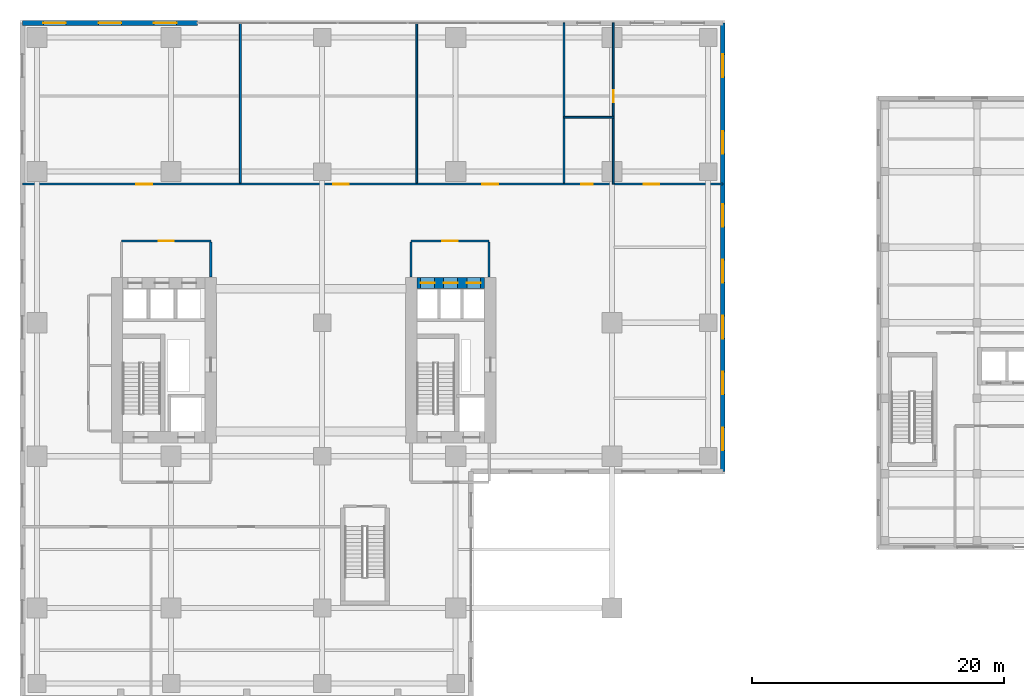
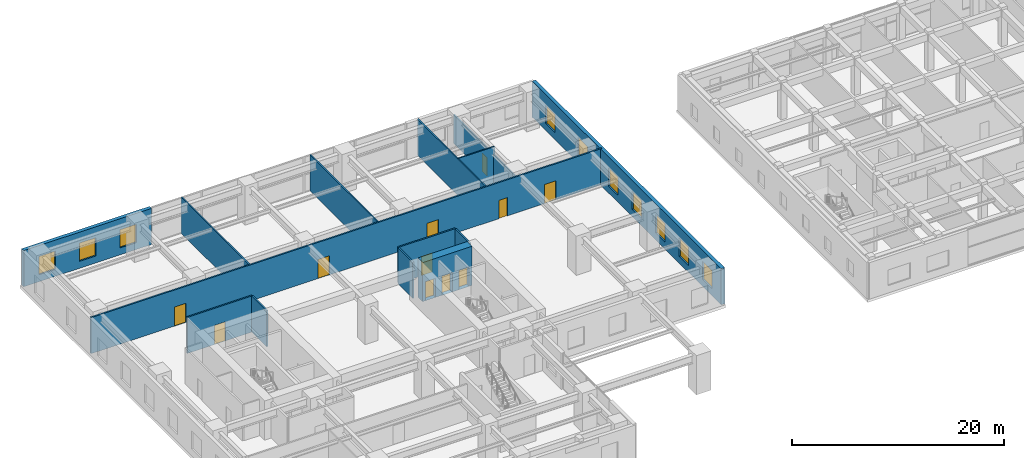
# One storey, part 20 of 26: 15 walls, 11 doors, 10 windows, 21 openings.
"""IFC4 building model written with IfcOpenShell, lengths in metres."""

from ifc_helpers import new_model, si_unit, direction, frame, frame_2d, origin, place, context, subcontext, project, spatial, rectangle, extrude, source, transform, mapped, material, layer, layer_set, type_object, element, fill, save


model = new_model("IFC4")

# Units and contexts
model_context = context("Model", 3, precision=1e-05, world=origin(), true_north=direction((0.0, 1.0)))
body_context = subcontext(model_context, "Body", "Model", "MODEL_VIEW")
ifc_project = project(units=[si_unit("LENGTHUNIT", "METRE"), si_unit("AREAUNIT", "SQUARE_METRE"), si_unit("VOLUMEUNIT", "CUBIC_METRE"), si_unit("PLANEANGLEUNIT", "RADIAN"), si_unit("MASSUNIT", "GRAM", prefix="KILO")], contexts=[model_context])

# Site, building, storey
site_placement = place(None, origin())
site = spatial("IfcSite", under=ifc_project, at=site_placement, CompositionType="ELEMENT")
building_placement = place(site_placement, origin())
building = spatial("IfcBuilding", under=site, at=building_placement, Name="Khoralis Quay Care Tower", CompositionType="ELEMENT")
storey_placement = place(building_placement, frame((0.0, 0.0, 4.5)))
storey = spatial("IfcBuildingStorey", under=building, at=storey_placement, Name="L01", CompositionType="ELEMENT", Elevation=4.5)

# Wall, openings, doors
ifc_material_1 = material(Name="Concrete C80/95", Category="concrete")
ifc_layer_1 = layer(ifc_material_1, 0.89990234375)
ifc_layer_set_1 = layer_set([ifc_layer_1], Name="Concrete C80/95")
wall_type_1 = type_object("IfcWallType", Name="WL-CORE-900", PredefinedType="SHEAR", material=ifc_layer_set_1)
wall_1_placement = place(storey_placement, frame((31.52001953125, 27.14990234375, 0.0), z_axis=(0.0, 0.0, 1.0), x_axis=(1.0, 0.0, 0.0)))
wall_1 = element("IfcWall", 1, at=wall_1_placement, inside=storey, type_object=wall_type_1, Name="L01 ECORE North Shear Wall", PredefinedType="SHEAR", context=body_context, shape_type="SweptSolid", body=[
    extrude(rectangle(XDim=5.3798828125, YDim=0.89990234375, at=frame_2d((2.68994140625, 0.0))), origin(), (0.0, 0.0, 1.0), 4.5),
])
opening_1_placement = place(wall_1_placement, frame((0.300048828125, 0.0, 0.0)))
opening_1 = element("IfcOpeningElement", 2, at=opening_1_placement, cuts=wall_1, Name="Opening LD1", PredefinedType="OPENING", context=body_context, shape_type="SweptSolid", body=[
    extrude(rectangle(XDim=1.10009765625, YDim=2.199951171875, at=frame_2d((0.550048828125, 1.10009765625))), frame((0.0, 0.4599609375, 0.0), z_axis=(0.0, -1.0, 0.0), x_axis=(1.0, 0.0, 0.0)), (0.0, 0.0, 1.0), 0.919921875),
])
opening_2_placement = place(wall_1_placement, frame((2.1298828125, 0.0, 0.0)))
opening_2 = element("IfcOpeningElement", 3, at=opening_2_placement, cuts=wall_1, Name="Opening LD1", PredefinedType="OPENING", context=body_context, shape_type="SweptSolid", body=[
    extrude(rectangle(XDim=1.10009765625, YDim=2.199951171875, at=frame_2d((0.550048828125, 1.10009765625))), frame((0.0, 0.4599609375, 0.0), z_axis=(0.0, -1.0, 0.0), x_axis=(1.0, 0.0, 0.0)), (0.0, 0.0, 1.0), 0.919921875),
])
opening_3_placement = place(wall_1_placement, frame((3.9599609375, 0.0, 0.0)))
opening_3 = element("IfcOpeningElement", 4, at=opening_3_placement, cuts=wall_1, Name="Opening LD1", PredefinedType="OPENING", context=body_context, shape_type="SweptSolid", body=[
    extrude(rectangle(XDim=1.10009765625, YDim=2.199951171875, at=frame_2d((0.550048828125, 1.10009765625))), frame((0.0, 0.4599609375, 0.0), z_axis=(0.0, -1.0, 0.0), x_axis=(1.0, 0.0, 0.0)), (0.0, 0.0, 1.0), 0.919921875),
])
ifc_material_2 = material(Name="Brushed stainless steel", Category="steel")
door_type_1 = type_object("IfcDoorType", Name="DR-LIFT-1100X2200", OperationType="SLIDING_TO_LEFT", PredefinedType="DOOR", material=ifc_material_2)
shared_shape_1 = source(origin(), body_context, "Body", "SweptSolid", [
    extrude(rectangle(XDim=1.10009765625, YDim=2.199951171875, at=frame_2d((0.550048828125, 1.10009765625))), frame((0.0, 0.02490234375, 0.0), z_axis=(0.0, -1.0, 0.0), x_axis=(1.0, 0.0, 0.0)), (0.0, 0.0, 1.0), 0.050048828125),
])
door_1_placement = place(opening_1_placement, origin())
door_1 = element("IfcDoor", 5, at=door_1_placement, inside=storey, type_object=door_type_1, Name="L01 Lift PLL2 Landing Door", OperationType="SLIDING_TO_LEFT", OverallHeight=2.199951171875, OverallWidth=1.10009765625, PredefinedType="DOOR", context=body_context, shape_type="MappedRepresentation", body=[
    mapped(shared_shape_1, transform((0.0, 0.0, 0.0), scale=1.0)),
])
fill(opening_1, door_1)
door_2_placement = place(opening_2_placement, origin())
door_2 = element("IfcDoor", 6, at=door_2_placement, inside=storey, type_object=door_type_1, Name="L01 Lift PLM2 Landing Door", OperationType="SLIDING_TO_LEFT", OverallHeight=2.199951171875, OverallWidth=1.10009765625, PredefinedType="DOOR", context=body_context, shape_type="MappedRepresentation", body=[
    mapped(shared_shape_1, transform((0.0, 0.0, 0.0), scale=1.0)),
])
fill(opening_2, door_2)
door_3_placement = place(opening_3_placement, origin())
door_3 = element("IfcDoor", 7, at=door_3_placement, inside=storey, type_object=door_type_1, Name="L01 Lift PLH2 Landing Door", OperationType="SLIDING_TO_LEFT", OverallHeight=2.199951171875, OverallWidth=1.10009765625, PredefinedType="DOOR", context=body_context, shape_type="MappedRepresentation", body=[
    mapped(shared_shape_1, transform((0.0, 0.0, 0.0), scale=1.0)),
])
fill(opening_3, door_3)

# Wall, opening, door
ifc_material_3 = material(Name="Gypsum plasterboard on acoustic metal stud")
ifc_layer_2 = layer(ifc_material_3, 0.1650390625)
ifc_layer_set_2 = layer_set([ifc_layer_2], Name="Gypsum plasterboard on acoustic metal stud")
wall_type_2 = type_object("IfcWallType", Name="WL-CORR-165", PredefinedType="PARTITIONING", material=ifc_layer_set_2)
wall_2_placement = place(storey_placement, frame((8.050048828125, 30.5, 0.0), z_axis=(0.0, 0.0, 1.0), x_axis=(1.0, 0.0, 0.0)))
wall_2 = element("IfcWall", 8, at=wall_2_placement, inside=storey, type_object=wall_type_2, Name="L01 West Lift Lobby North Wall", PredefinedType="PARTITIONING", context=body_context, shape_type="SweptSolid", body=[
    extrude(rectangle(XDim=7.099853515625, YDim=0.1650390625, at=frame_2d((3.5498046875, 0.0))), origin(), (0.0, 0.0, 1.0), 4.159912109375),
])
opening_4_placement = place(wall_2_placement, frame((2.949951171875, 0.0, 0.0)))
opening_4 = element("IfcOpeningElement", 9, at=opening_4_placement, cuts=wall_2, Name="Opening FD1", PredefinedType="OPENING", context=body_context, shape_type="SweptSolid", body=[
    extrude(rectangle(XDim=1.199951171875, YDim=2.199951171875, at=frame_2d((0.60009765625, 1.10009765625))), frame((0.0, 0.092529296875, 0.0), z_axis=(0.0, -1.0, 0.0), x_axis=(1.0, 0.0, 0.0)), (0.0, 0.0, 1.0), 0.18505859375),
])
ifc_material_4 = material(Name="Fire-rated painted steel", Category="steel")
door_type_2 = type_object("IfcDoorType", Name="DR-FFL-1200X2200", OperationType="NOTDEFINED", PredefinedType="DOOR", material=ifc_material_4)
shared_shape_2 = source(origin(), body_context, "Body", "SweptSolid", [
    extrude(rectangle(XDim=1.199951171875, YDim=2.199951171875, at=frame_2d((0.60009765625, 1.10009765625))), frame((0.0, 0.02490234375, 0.0), z_axis=(0.0, -1.0, 0.0), x_axis=(1.0, 0.0, 0.0)), (0.0, 0.0, 1.0), 0.050048828125),
])
door_4_placement = place(opening_4_placement, origin())
door_4 = element("IfcDoor", 10, at=door_4_placement, inside=storey, type_object=door_type_2, Name="L01 West Lift Lobby Double Door", OperationType="DOUBLE_DOOR_SINGLE_SWING", OverallHeight=2.199951171875, OverallWidth=1.199951171875, PredefinedType="DOOR", context=body_context, shape_type="MappedRepresentation", body=[
    mapped(shared_shape_2, transform((0.0, 0.0, 0.0), scale=1.0)),
])
fill(opening_4, door_4)

# Wall
wall_3_placement = place(storey_placement, frame((15.14990234375, 27.6201171875, 0.0), z_axis=(0.0, 0.0, 1.0), x_axis=(0.0, 1.0, 0.0)))
element("IfcWall", 11, at=wall_3_placement, inside=storey, type_object=wall_type_2, Name="L01 West Lift Lobby East Wall", PredefinedType="PARTITIONING", context=body_context, shape_type="SweptSolid", body=[
    extrude(rectangle(XDim=2.802490234375, YDim=0.1650390625, at=frame_2d((1.4013671875, 0.0))), origin(), (0.0, 0.0, 1.0), 4.159912109375),
])

# Wall, opening, door
wall_4_placement = place(storey_placement, frame((31.050048828125, 30.5, 0.0), z_axis=(0.0, 0.0, 1.0), x_axis=(1.0, 0.0, 0.0)))
wall_4 = element("IfcWall", 12, at=wall_4_placement, inside=storey, type_object=wall_type_2, Name="L01 East Lift Lobby North Wall", PredefinedType="PARTITIONING", context=body_context, shape_type="SweptSolid", body=[
    extrude(rectangle(XDim=6.199951171875, YDim=0.1650390625, at=frame_2d((3.10009765625, 0.0))), origin(), (0.0, 0.0, 1.0), 4.159912109375),
])
opening_5_placement = place(wall_4_placement, frame((2.5, 0.0, 0.0)))
opening_5 = element("IfcOpeningElement", 13, at=opening_5_placement, cuts=wall_4, Name="Opening FD1", PredefinedType="OPENING", context=body_context, shape_type="SweptSolid", body=[
    extrude(rectangle(XDim=1.199951171875, YDim=2.199951171875, at=frame_2d((0.60009765625, 1.10009765625))), frame((0.0, 0.092529296875, 0.0), z_axis=(0.0, -1.0, 0.0), x_axis=(1.0, 0.0, 0.0)), (0.0, 0.0, 1.0), 0.18505859375),
])
door_5_placement = place(opening_5_placement, origin())
door_5 = element("IfcDoor", 14, at=door_5_placement, inside=storey, type_object=door_type_2, Name="L01 East Lift Lobby Double Door", OperationType="DOUBLE_DOOR_SINGLE_SWING", OverallHeight=2.199951171875, OverallWidth=1.199951171875, PredefinedType="DOOR", context=body_context, shape_type="MappedRepresentation", body=[
    mapped(shared_shape_2, transform((0.0, 0.0, 0.0), scale=1.0)),
])
fill(opening_5, door_5)

# Walls
for number, where, z_axis, x_axis, name in (
    (15, (31.050048828125, 27.6201171875, 0.0), (0.0, 0.0, 1.0), (0.0, 1.0, 0.0), "L01 East Lift Lobby West Wall"),
    (16, (37.25, 27.6201171875, 0.0), (0.0, 0.0, 1.0), (0.0, 1.0, 0.0), "L01 East Lift Lobby East Wall"),
):
    element("IfcWall", number, at=place(storey_placement, frame(where, z_axis=z_axis, x_axis=x_axis)), inside=storey, type_object=wall_type_2, Name=name, PredefinedType="PARTITIONING", context=body_context, shape_type="SweptSolid", body=[
        extrude(rectangle(XDim=2.802490234375, YDim=0.1650390625, at=frame_2d((1.4013671875, 0.0))), origin(), (0.0, 0.0, 1.0), 4.159912109375),
    ])

# Wall, openings, doors
wall_5_placement = place(storey_placement, frame((0.18505859375, 35.0, 0.0), z_axis=(0.0, 0.0, 1.0), x_axis=(1.0, 0.0, 0.0)))
wall_5 = element("IfcWall", 17, at=wall_5_placement, inside=storey, type_object=wall_type_2, Name="L01 Podium North Concourse Wall", PredefinedType="PARTITIONING", context=body_context, shape_type="SweptSolid", body=[
    extrude(rectangle(XDim=55.6298828125, YDim=0.1650390625, at=frame_2d((27.81494140625, 0.0))), origin(), (0.0, 0.0, 1.0), 4.159912109375),
])
opening_6_placement = place(wall_5_placement, frame((9.06494140625, 0.0, 0.0)))
opening_6 = element("IfcOpeningElement", 18, at=opening_6_placement, cuts=wall_5, Name="Opening CD1", PredefinedType="OPENING", context=body_context, shape_type="SweptSolid", body=[
    extrude(rectangle(XDim=1.25, YDim=2.199951171875, at=frame_2d((0.625, 1.10009765625))), frame((0.0, 0.092529296875, 0.0), z_axis=(0.0, -1.0, 0.0), x_axis=(1.0, 0.0, 0.0)), (0.0, 0.0, 1.0), 0.18505859375),
])
opening_7_placement = place(wall_5_placement, frame((24.68994140625, 0.0, 0.0)))
opening_7 = element("IfcOpeningElement", 19, at=opening_7_placement, cuts=wall_5, Name="Opening CD1", PredefinedType="OPENING", context=body_context, shape_type="SweptSolid", body=[
    extrude(rectangle(XDim=1.25, YDim=2.199951171875, at=frame_2d((0.625, 1.10009765625))), frame((0.0, 0.092529296875, 0.0), z_axis=(0.0, -1.0, 0.0), x_axis=(1.0, 0.0, 0.0)), (0.0, 0.0, 1.0), 0.18505859375),
])
opening_8_placement = place(wall_5_placement, frame((36.5400390625, 0.0, 0.0)))
opening_8 = element("IfcOpeningElement", 20, at=opening_8_placement, cuts=wall_5, Name="Opening CD1", PredefinedType="OPENING", context=body_context, shape_type="SweptSolid", body=[
    extrude(rectangle(XDim=1.25, YDim=2.199951171875, at=frame_2d((0.625, 1.10009765625))), frame((0.0, 0.092529296875, 0.0), z_axis=(0.0, -1.0, 0.0), x_axis=(1.0, 0.0, 0.0)), (0.0, 0.0, 1.0), 0.18505859375),
])
opening_9_placement = place(wall_5_placement, frame((44.385009765625, 0.0, 0.0)))
opening_9 = element("IfcOpeningElement", 21, at=opening_9_placement, cuts=wall_5, Name="Opening WD1", PredefinedType="OPENING", context=body_context, shape_type="SweptSolid", body=[
    extrude(rectangle(XDim=0.89990234375, YDim=2.10009765625, at=frame_2d((0.449951171875, 1.050048828125))), frame((0.0, 0.092529296875, 0.0), z_axis=(0.0, -1.0, 0.0), x_axis=(1.0, 0.0, 0.0)), (0.0, 0.0, 1.0), 0.18505859375),
])
opening_10_placement = place(wall_5_placement, frame((49.3349609375, 0.0, 0.0)))
opening_10 = element("IfcOpeningElement", 22, at=opening_10_placement, cuts=wall_5, Name="Opening CD1", PredefinedType="OPENING", context=body_context, shape_type="SweptSolid", body=[
    extrude(rectangle(XDim=1.25, YDim=2.199951171875, at=frame_2d((0.625, 1.10009765625))), frame((0.0, 0.092529296875, 0.0), z_axis=(0.0, -1.0, 0.0), x_axis=(1.0, 0.0, 0.0)), (0.0, 0.0, 1.0), 0.18505859375),
])
ifc_material_5 = material(Name="Acoustic hardwood timber", Category="wood")
door_type_3 = type_object("IfcDoorType", Name="DR-BATH-900X2100", OperationType="NOTDEFINED", PredefinedType="DOOR", material=ifc_material_5)
shared_shape_3 = source(origin(), body_context, "Body", "SweptSolid", [
    extrude(rectangle(XDim=0.89990234375, YDim=2.10009765625, at=frame_2d((0.449951171875, 1.050048828125))), frame((0.0, 0.02490234375, 0.0), z_axis=(0.0, -1.0, 0.0), x_axis=(1.0, 0.0, 0.0)), (0.0, 0.0, 1.0), 0.050048828125),
])
door_6_placement = place(opening_9_placement, origin())
door_6 = element("IfcDoor", 23, at=door_6_placement, inside=storey, type_object=door_type_3, Name="L01 Staff Locker & Accessible WC Door", OperationType="SINGLE_SWING_LEFT", OverallHeight=2.10009765625, OverallWidth=0.89990234375, PredefinedType="DOOR", context=body_context, shape_type="MappedRepresentation", body=[
    mapped(shared_shape_3, transform((0.0, 0.0, 0.0), scale=1.0)),
])
fill(opening_9, door_6)
door_type_4 = type_object("IfcDoorType", Name="DR-CARE-1250X2200", OperationType="NOTDEFINED", PredefinedType="DOOR", material=ifc_material_5)
shared_shape_4 = source(origin(), body_context, "Body", "SweptSolid", [
    extrude(rectangle(XDim=1.25, YDim=2.199951171875, at=frame_2d((0.625, 1.10009765625))), frame((0.0, 0.02490234375, 0.0), z_axis=(0.0, -1.0, 0.0), x_axis=(1.0, 0.0, 0.0)), (0.0, 0.0, 1.0), 0.050048828125),
])
door_7_placement = place(opening_6_placement, origin())
door_7 = element("IfcDoor", 24, at=door_7_placement, inside=storey, type_object=door_type_4, Name="L01 Occupational Therapy Hall Door", OperationType="DOUBLE_DOOR_SINGLE_SWING", OverallHeight=2.199951171875, OverallWidth=1.25, PredefinedType="DOOR", context=body_context, shape_type="MappedRepresentation", body=[
    mapped(shared_shape_4, transform((0.0, 0.0, 0.0), scale=1.0)),
])
fill(opening_6, door_7)
door_8_placement = place(opening_7_placement, origin())
door_8 = element("IfcDoor", 25, at=door_8_placement, inside=storey, type_object=door_type_4, Name="L01 Audiology & Vision Clinic Door", OperationType="DOUBLE_DOOR_SINGLE_SWING", OverallHeight=2.199951171875, OverallWidth=1.25, PredefinedType="DOOR", context=body_context, shape_type="MappedRepresentation", body=[
    mapped(shared_shape_4, transform((0.0, 0.0, 0.0), scale=1.0)),
])
fill(opening_7, door_8)
door_9_placement = place(opening_8_placement, origin())
door_9 = element("IfcDoor", 26, at=door_9_placement, inside=storey, type_object=door_type_4, Name="L01 Clinical Laboratory Door", OperationType="DOUBLE_DOOR_SINGLE_SWING", OverallHeight=2.199951171875, OverallWidth=1.25, PredefinedType="DOOR", context=body_context, shape_type="MappedRepresentation", body=[
    mapped(shared_shape_4, transform((0.0, 0.0, 0.0), scale=1.0)),
])
fill(opening_8, door_9)
door_10_placement = place(opening_10_placement, origin())
door_10 = element("IfcDoor", 27, at=door_10_placement, inside=storey, type_object=door_type_4, Name="L01 Podium Equipment Store Door", OperationType="SINGLE_SWING_RIGHT", OverallHeight=2.199951171875, OverallWidth=1.25, PredefinedType="DOOR", context=body_context, shape_type="MappedRepresentation", body=[
    mapped(shared_shape_4, transform((0.0, 0.0, 0.0), scale=1.0)),
])
fill(opening_10, door_10)

# Wall, openings, windows
ifc_material_6 = material(Name="Precast concrete C45/55", Category="concrete")
ifc_layer_3 = layer(ifc_material_6, 0.3798828125)
ifc_layer_set_3 = layer_set([ifc_layer_3], Name="Precast concrete C45/55")
wall_type_3 = type_object("IfcWallType", Name="WL-EXT-POD-380", PredefinedType="SOLIDWALL", material=ifc_layer_set_3)
wall_6_placement = place(storey_placement, frame((55.81005859375, 12.18994140625, 0.0), z_axis=(0.0, 0.0, 1.0), x_axis=(0.0, 1.0, 0.0)))
wall_6 = element("IfcWall", 28, at=wall_6_placement, inside=storey, type_object=wall_type_3, Name="L01 External Facade Wall WL-POD-L01-E3", PredefinedType="SOLIDWALL", context=body_context, shape_type="SweptSolid", body=[
    extrude(rectangle(XDim=35.6201171875, YDim=0.3798828125, at=frame_2d((17.81005859375, 0.0))), origin(), (0.0, 0.0, 1.0), 4.159912109375),
])
opening_11_placement = place(wall_6_placement, frame((1.678955078125, 0.0, 0.800048828125)))
opening_11 = element("IfcOpeningElement", 29, at=opening_11_placement, cuts=wall_6, Name="Opening W2", PredefinedType="OPENING", context=body_context, shape_type="SweptSolid", body=[
    extrude(rectangle(XDim=1.800048828125, YDim=2.10009765625, at=frame_2d((0.89990234375, 1.050048828125))), frame((0.0, 0.199951171875, 0.0), z_axis=(0.0, -1.0, 0.0), x_axis=(1.0, 0.0, 0.0)), (0.0, 0.0, 1.0), 0.39990234375),
])
opening_12_placement = place(wall_6_placement, frame((6.116943359375, 0.0, 0.800048828125)))
opening_12 = element("IfcOpeningElement", 30, at=opening_12_placement, cuts=wall_6, Name="Opening W2", PredefinedType="OPENING", context=body_context, shape_type="SweptSolid", body=[
    extrude(rectangle(XDim=1.800048828125, YDim=2.10009765625, at=frame_2d((0.89990234375, 1.050048828125))), frame((0.0, 0.199951171875, 0.0), z_axis=(0.0, -1.0, 0.0), x_axis=(1.0, 0.0, 0.0)), (0.0, 0.0, 1.0), 0.39990234375),
])
opening_13_placement = place(wall_6_placement, frame((10.554931640625, 0.0, 0.800048828125)))
opening_13 = element("IfcOpeningElement", 31, at=opening_13_placement, cuts=wall_6, Name="Opening W2", PredefinedType="OPENING", context=body_context, shape_type="SweptSolid", body=[
    extrude(rectangle(XDim=1.800048828125, YDim=2.10009765625, at=frame_2d((0.89990234375, 1.050048828125))), frame((0.0, 0.199951171875, 0.0), z_axis=(0.0, -1.0, 0.0), x_axis=(1.0, 0.0, 0.0)), (0.0, 0.0, 1.0), 0.39990234375),
])
opening_14_placement = place(wall_6_placement, frame((14.992919921875, 0.0, 0.800048828125)))
opening_14 = element("IfcOpeningElement", 32, at=opening_14_placement, cuts=wall_6, Name="Opening W2", PredefinedType="OPENING", context=body_context, shape_type="SweptSolid", body=[
    extrude(rectangle(XDim=1.800048828125, YDim=2.10009765625, at=frame_2d((0.89990234375, 1.050048828125))), frame((0.0, 0.199951171875, 0.0), z_axis=(0.0, -1.0, 0.0), x_axis=(1.0, 0.0, 0.0)), (0.0, 0.0, 1.0), 0.39990234375),
])
opening_15_placement = place(wall_6_placement, frame((19.430908203125, 0.0, 0.800048828125)))
opening_15 = element("IfcOpeningElement", 33, at=opening_15_placement, cuts=wall_6, Name="Opening W2", PredefinedType="OPENING", context=body_context, shape_type="SweptSolid", body=[
    extrude(rectangle(XDim=1.800048828125, YDim=2.10009765625, at=frame_2d((0.89990234375, 1.050048828125))), frame((0.0, 0.199951171875, 0.0), z_axis=(0.0, -1.0, 0.0), x_axis=(1.0, 0.0, 0.0)), (0.0, 0.0, 1.0), 0.39990234375),
])
opening_16_placement = place(wall_6_placement, frame((25.217529296875, 0.0, 0.800048828125)))
opening_16 = element("IfcOpeningElement", 34, at=opening_16_placement, cuts=wall_6, Name="Opening W2", PredefinedType="OPENING", context=body_context, shape_type="SweptSolid", body=[
    extrude(rectangle(XDim=1.800048828125, YDim=2.10009765625, at=frame_2d((0.89990234375, 1.050048828125))), frame((0.0, 0.199951171875, 0.0), z_axis=(0.0, -1.0, 0.0), x_axis=(1.0, 0.0, 0.0)), (0.0, 0.0, 1.0), 0.39990234375),
])
opening_17_placement = place(wall_6_placement, frame((31.3125, 0.0, 0.800048828125)))
opening_17 = element("IfcOpeningElement", 35, at=opening_17_placement, cuts=wall_6, Name="Opening W2", PredefinedType="OPENING", context=body_context, shape_type="SweptSolid", body=[
    extrude(rectangle(XDim=1.800048828125, YDim=2.10009765625, at=frame_2d((0.89990234375, 1.050048828125))), frame((0.0, 0.199951171875, 0.0), z_axis=(0.0, -1.0, 0.0), x_axis=(1.0, 0.0, 0.0)), (0.0, 0.0, 1.0), 0.39990234375),
])
ifc_material_7 = material(Name="Low-E solar-control double glazing", Category="glass")
window_type = type_object("IfcWindowType", Name="WN-POD-1800X2100", PartitioningType="SINGLE_PANEL", PredefinedType="WINDOW", material=ifc_material_7)
shared_shape_5 = source(origin(), body_context, "Body", "SweptSolid", [
    extrude(rectangle(XDim=1.800048828125, YDim=2.10009765625, at=frame_2d((0.89990234375, 1.050048828125))), frame((0.0, 0.030029296875, 0.0), z_axis=(0.0, -1.0, 0.0), x_axis=(1.0, 0.0, 0.0)), (0.0, 0.0, 1.0), 0.06005859375),
])
window_1_placement = place(opening_11_placement, origin())
window_1 = element("IfcWindow", 36, at=window_1_placement, inside=storey, type_object=window_type, Name="WN-POD-L01-E3 Facade Window 01", OverallHeight=2.10009765625, OverallWidth=1.800048828125, PartitioningType="SINGLE_PANEL", PredefinedType="WINDOW", context=body_context, shape_type="MappedRepresentation", body=[
    mapped(shared_shape_5, transform((0.0, 0.0, 0.0), scale=1.0)),
])
fill(opening_11, window_1)
window_2_placement = place(opening_12_placement, origin())
window_2 = element("IfcWindow", 37, at=window_2_placement, inside=storey, type_object=window_type, Name="WN-POD-L01-E3 Facade Window 02", OverallHeight=2.10009765625, OverallWidth=1.800048828125, PartitioningType="SINGLE_PANEL", PredefinedType="WINDOW", context=body_context, shape_type="MappedRepresentation", body=[
    mapped(shared_shape_5, transform((0.0, 0.0, 0.0), scale=1.0)),
])
fill(opening_12, window_2)
window_3_placement = place(opening_13_placement, origin())
window_3 = element("IfcWindow", 38, at=window_3_placement, inside=storey, type_object=window_type, Name="WN-POD-L01-E3 Facade Window 03", OverallHeight=2.10009765625, OverallWidth=1.800048828125, PartitioningType="SINGLE_PANEL", PredefinedType="WINDOW", context=body_context, shape_type="MappedRepresentation", body=[
    mapped(shared_shape_5, transform((0.0, 0.0, 0.0), scale=1.0)),
])
fill(opening_13, window_3)
window_4_placement = place(opening_14_placement, origin())
window_4 = element("IfcWindow", 39, at=window_4_placement, inside=storey, type_object=window_type, Name="WN-POD-L01-E3 Facade Window 04", OverallHeight=2.10009765625, OverallWidth=1.800048828125, PartitioningType="SINGLE_PANEL", PredefinedType="WINDOW", context=body_context, shape_type="MappedRepresentation", body=[
    mapped(shared_shape_5, transform((0.0, 0.0, 0.0), scale=1.0)),
])
fill(opening_14, window_4)
window_5_placement = place(opening_15_placement, origin())
window_5 = element("IfcWindow", 40, at=window_5_placement, inside=storey, type_object=window_type, Name="WN-POD-L01-E3 Facade Window 05", OverallHeight=2.10009765625, OverallWidth=1.800048828125, PartitioningType="SINGLE_PANEL", PredefinedType="WINDOW", context=body_context, shape_type="MappedRepresentation", body=[
    mapped(shared_shape_5, transform((0.0, 0.0, 0.0), scale=1.0)),
])
fill(opening_15, window_5)
window_6_placement = place(opening_16_placement, origin())
window_6 = element("IfcWindow", 41, at=window_6_placement, inside=storey, type_object=window_type, Name="WN-POD-L01-E3 Facade Window 06", OverallHeight=2.10009765625, OverallWidth=1.800048828125, PartitioningType="SINGLE_PANEL", PredefinedType="WINDOW", context=body_context, shape_type="MappedRepresentation", body=[
    mapped(shared_shape_5, transform((0.0, 0.0, 0.0), scale=1.0)),
])
fill(opening_16, window_6)
window_7_placement = place(opening_17_placement, origin())
window_7 = element("IfcWindow", 42, at=window_7_placement, inside=storey, type_object=window_type, Name="WN-POD-L01-E3 Facade Window 07", OverallHeight=2.10009765625, OverallWidth=1.800048828125, PartitioningType="SINGLE_PANEL", PredefinedType="WINDOW", context=body_context, shape_type="MappedRepresentation", body=[
    mapped(shared_shape_5, transform((0.0, 0.0, 0.0), scale=1.0)),
])
fill(opening_17, window_7)

wall_7_placement = place(storey_placement, frame((14.094970703125, 47.81005859375, 0.0), z_axis=(0.0, 0.0, 1.0), x_axis=(-1.0, 0.0, 0.0)))
wall_7 = element("IfcWall", 43, at=wall_7_placement, inside=storey, type_object=wall_type_3, Name="L01 External Facade Wall WL-POD-L01-E4B", PredefinedType="SOLIDWALL", context=body_context, shape_type="SweptSolid", body=[
    extrude(rectangle(XDim=13.905029296875, YDim=0.3798828125, at=frame_2d((6.95263671875, 0.0))), origin(), (0.0, 0.0, 1.0), 4.159912109375),
])
opening_18_placement = place(wall_7_placement, frame((1.657470703125, 0.0, 0.800048828125)))
opening_18 = element("IfcOpeningElement", 44, at=opening_18_placement, cuts=wall_7, Name="Opening W2", PredefinedType="OPENING", context=body_context, shape_type="SweptSolid", body=[
    extrude(rectangle(XDim=1.800048828125, YDim=2.10009765625, at=frame_2d((0.89990234375, 1.050048828125))), frame((0.0, 0.199951171875, 0.0), z_axis=(0.0, -1.0, 0.0), x_axis=(1.0, 0.0, 0.0)), (0.0, 0.0, 1.0), 0.39990234375),
])
opening_19_placement = place(wall_7_placement, frame((6.052490234375, 0.0, 0.800048828125)))
opening_19 = element("IfcOpeningElement", 45, at=opening_19_placement, cuts=wall_7, Name="Opening W2", PredefinedType="OPENING", context=body_context, shape_type="SweptSolid", body=[
    extrude(rectangle(XDim=1.800048828125, YDim=2.10009765625, at=frame_2d((0.89990234375, 1.050048828125))), frame((0.0, 0.199951171875, 0.0), z_axis=(0.0, -1.0, 0.0), x_axis=(1.0, 0.0, 0.0)), (0.0, 0.0, 1.0), 0.39990234375),
])
opening_20_placement = place(wall_7_placement, frame((10.447509765625, 0.0, 0.800048828125)))
opening_20 = element("IfcOpeningElement", 46, at=opening_20_placement, cuts=wall_7, Name="Opening W2", PredefinedType="OPENING", context=body_context, shape_type="SweptSolid", body=[
    extrude(rectangle(XDim=1.800048828125, YDim=2.10009765625, at=frame_2d((0.89990234375, 1.050048828125))), frame((0.0, 0.199951171875, 0.0), z_axis=(0.0, -1.0, 0.0), x_axis=(1.0, 0.0, 0.0)), (0.0, 0.0, 1.0), 0.39990234375),
])
window_8_placement = place(opening_18_placement, origin())
window_8 = element("IfcWindow", 47, at=window_8_placement, inside=storey, type_object=window_type, Name="WN-POD-L01-4B Facade Window 01", OverallHeight=2.10009765625, OverallWidth=1.800048828125, PartitioningType="SINGLE_PANEL", PredefinedType="WINDOW", context=body_context, shape_type="MappedRepresentation", body=[
    mapped(shared_shape_5, transform((0.0, 0.0, 0.0), scale=1.0)),
])
fill(opening_18, window_8)
window_9_placement = place(opening_19_placement, origin())
window_9 = element("IfcWindow", 48, at=window_9_placement, inside=storey, type_object=window_type, Name="WN-POD-L01-4B Facade Window 02", OverallHeight=2.10009765625, OverallWidth=1.800048828125, PartitioningType="SINGLE_PANEL", PredefinedType="WINDOW", context=body_context, shape_type="MappedRepresentation", body=[
    mapped(shared_shape_5, transform((0.0, 0.0, 0.0), scale=1.0)),
])
fill(opening_19, window_9)
window_10_placement = place(opening_20_placement, origin())
window_10 = element("IfcWindow", 49, at=window_10_placement, inside=storey, type_object=window_type, Name="WN-POD-L01-4B Facade Window 03", OverallHeight=2.10009765625, OverallWidth=1.800048828125, PartitioningType="SINGLE_PANEL", PredefinedType="WINDOW", context=body_context, shape_type="MappedRepresentation", body=[
    mapped(shared_shape_5, transform((0.0, 0.0, 0.0), scale=1.0)),
])
fill(opening_20, window_10)

# Walls
ifc_material_8 = material(Name="Moisture-resistant gypsum and ceramic tile")
ifc_layer_4 = layer(ifc_material_8, 0.280029296875)
ifc_layer_set_4 = layer_set([ifc_layer_4], Name="Moisture-resistant gypsum and ceramic tile")
wall_type_4 = type_object("IfcWallType", Name="WL-PLUMB-280", PredefinedType="PLUMBINGWALL", material=ifc_layer_set_4)
wall_8_placement = place(storey_placement, frame((47.1201171875, 35.0, 0.0), z_axis=(0.0, 0.0, 1.0), x_axis=(0.0, 1.0, 0.0)))
element("IfcWall", 50, at=wall_8_placement, inside=storey, type_object=wall_type_4, Name="L01 Podium WC East Partition", PredefinedType="PLUMBINGWALL", context=body_context, shape_type="SweptSolid", body=[
    extrude(rectangle(XDim=5.320068359375, YDim=0.139892578125, at=frame_2d((2.66015625, 0.0))), origin(), (0.0, 0.0, 1.0), 3.304931640625),
])
wall_9_placement = place(storey_placement, frame((43.199951171875, 40.320068359375, 0.0), z_axis=(0.0, 0.0, 1.0), x_axis=(1.0, 0.0, 0.0)))
element("IfcWall", 51, at=wall_9_placement, inside=storey, type_object=wall_type_4, Name="L01 Podium WC North Partition", PredefinedType="PLUMBINGWALL", context=body_context, shape_type="SweptSolid", body=[
    extrude(rectangle(XDim=3.989990234375, YDim=0.139892578125, at=frame_2d((1.9951171875, 0.0))), origin(), (0.0, 0.0, 1.0), 4.159912109375),
])
ifc_layer_5 = layer(ifc_material_3, 0.139892578125)
ifc_layer_set_5 = layer_set([ifc_layer_5], Name="Gypsum plasterboard on acoustic metal stud")
wall_type_5 = type_object("IfcWallType", Name="WL-UNIT-140", PredefinedType="PARTITIONING", material=ifc_layer_set_5)
for number, where, z_axis, x_axis, name in (
    (52, (17.5, 35.077392578125, 0.0), (0.0, 0.0, 1.0), (0.0, 1.0, 0.0), "L01 Podium North Split 1"),
    (53, (31.5, 35.077392578125, 0.0), (0.0, 0.0, 1.0), (0.0, 1.0, 0.0), "L01 Podium North Split 2"),
    (54, (43.199951171875, 35.077392578125, 0.0), (0.0, 0.0, 1.0), (0.0, 1.0, 0.0), "L01 Podium North Split 3"),
):
    element("IfcWall", number, at=place(storey_placement, frame(where, z_axis=z_axis, x_axis=x_axis)), inside=storey, type_object=wall_type_5, Name=name, PredefinedType="PARTITIONING", context=body_context, shape_type="SweptSolid", body=[
        extrude(rectangle(XDim=12.737548828125, YDim=0.139892578125, at=frame_2d((6.36865234375, 0.0))), origin(), (0.0, 0.0, 1.0), 4.159912109375),
    ])

# Wall, opening, door
wall_10_placement = place(storey_placement, frame((47.1201171875, 40.320068359375, 0.0), z_axis=(0.0, 0.0, 1.0), x_axis=(0.0, 1.0, 0.0)))
wall_10 = element("IfcWall", 55, at=wall_10_placement, inside=storey, type_object=wall_type_5, Name="L01 Podium Store Partition", PredefinedType="PARTITIONING", context=body_context, shape_type="SweptSolid", body=[
    extrude(rectangle(XDim=7.494873046875, YDim=0.139892578125, at=frame_2d((3.74755859375, 0.0))), origin(), (0.0, 0.0, 1.0), 3.304931640625),
])
opening_21_placement = place(wall_10_placement, frame((1.199951171875, 0.0, 0.0)))
opening_21 = element("IfcOpeningElement", 56, at=opening_21_placement, cuts=wall_10, Name="Opening ID1", PredefinedType="OPENING", context=body_context, shape_type="SweptSolid", body=[
    extrude(rectangle(XDim=0.949951171875, YDim=2.10009765625, at=frame_2d((0.47509765625, 1.050048828125))), frame((0.0, 0.080078125, 0.0), z_axis=(0.0, -1.0, 0.0), x_axis=(1.0, 0.0, 0.0)), (0.0, 0.0, 1.0), 0.159912109375),
])
door_type_5 = type_object("IfcDoorType", Name="DR-ROOM-950X2100", OperationType="NOTDEFINED", PredefinedType="DOOR", material=ifc_material_5)
shared_shape_6 = source(origin(), body_context, "Body", "SweptSolid", [
    extrude(rectangle(XDim=0.949951171875, YDim=2.10009765625, at=frame_2d((0.47509765625, 1.050048828125))), frame((0.0, 0.02490234375, 0.0), z_axis=(0.0, -1.0, 0.0), x_axis=(1.0, 0.0, 0.0)), (0.0, 0.0, 1.0), 0.050048828125),
])
door_11_placement = place(opening_21_placement, frame((0.949951171875, 0.0, 0.0), z_axis=(0.0, 0.0, 1.0), x_axis=(-1.0, 0.0, 0.0)))
door_11 = element("IfcDoor", 57, at=door_11_placement, inside=storey, type_object=door_type_5, Name="L01 Sterile Archive Door", OperationType="SINGLE_SWING_LEFT", OverallHeight=2.10009765625, OverallWidth=0.949951171875, PredefinedType="DOOR", context=body_context, shape_type="MappedRepresentation", body=[
    mapped(shared_shape_6, transform((0.0, 0.0, 0.0), scale=1.0)),
])
fill(opening_21, door_11)

save(model, "model.ifc")
